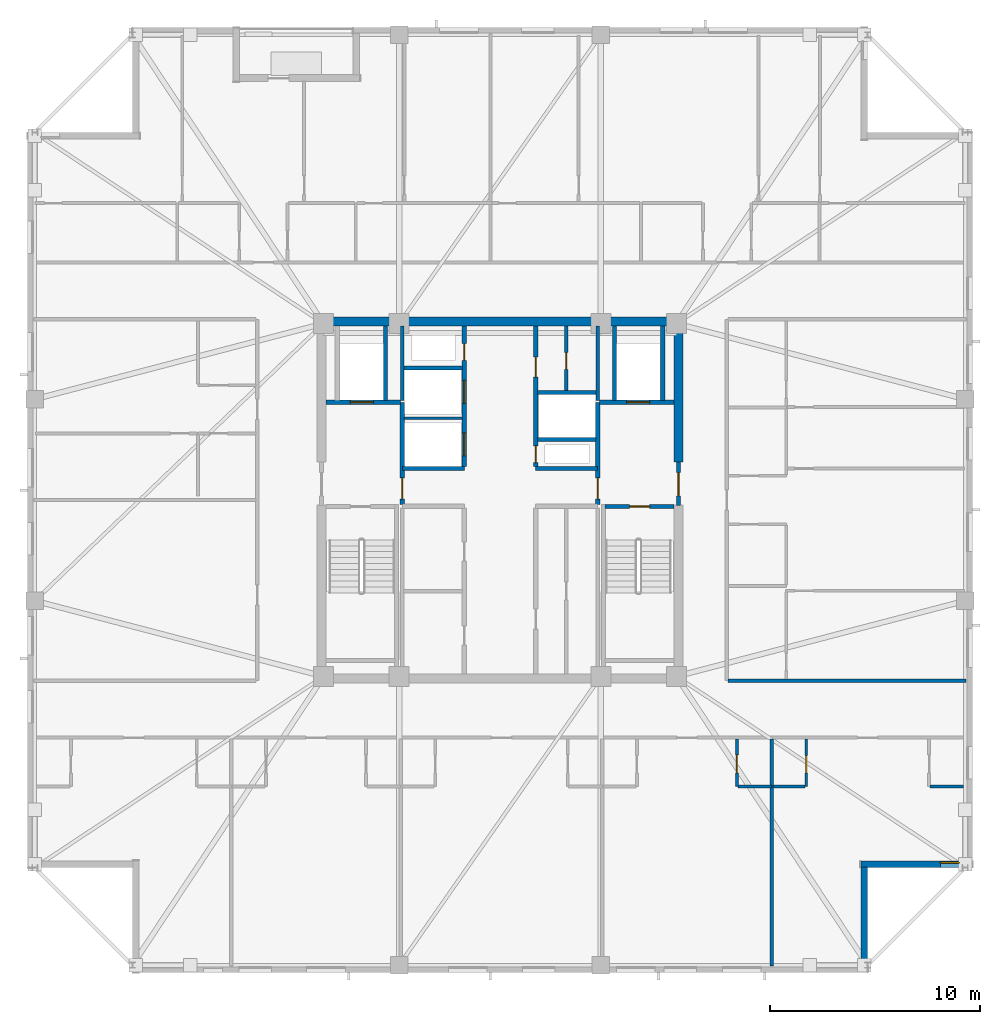
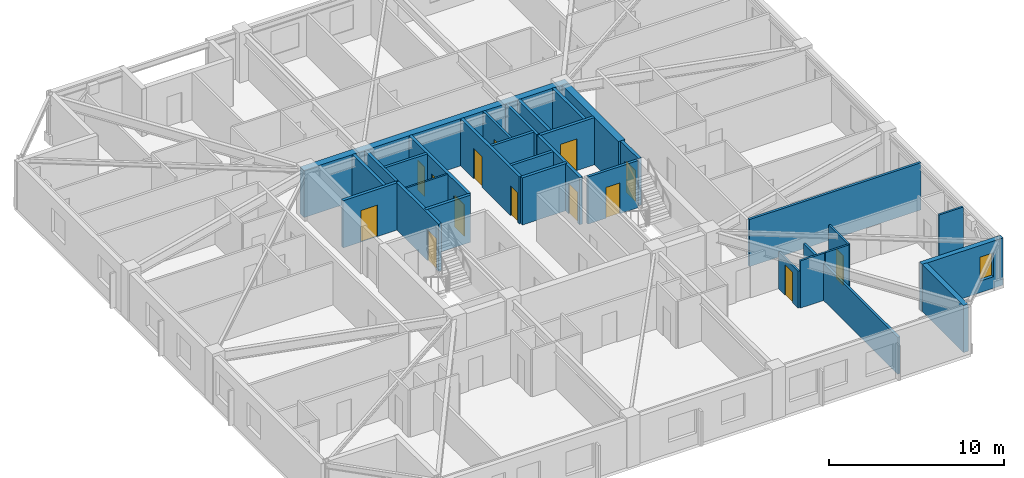
# One storey, part 9 of 17: 31 walls, 14 doors, 1 window, 15 openings.
"""IFC4 building model written with IfcOpenShell, lengths in metres."""

from ifc_helpers import new_model, si_unit, direction, frame, frame_2d, origin, place, context, subcontext, project, spatial, rectangle, extrude, material, layer, layer_set, type_object, element, fill, save


model = new_model("IFC4")

# Units and contexts
model_context = context("Model", 3, precision=1e-05, world=origin(), true_north=direction((0.0, 1.0)))
body_context = subcontext(model_context, "Body", "Model", "MODEL_VIEW")
ifc_project = project(units=[si_unit("LENGTHUNIT", "METRE"), si_unit("AREAUNIT", "SQUARE_METRE"), si_unit("VOLUMEUNIT", "CUBIC_METRE"), si_unit("PLANEANGLEUNIT", "RADIAN"), si_unit("MASSUNIT", "GRAM", prefix="KILO")], contexts=[model_context])

# Site, building, storey
site_placement = place(None, origin())
site = spatial("IfcSite", under=ifc_project, at=site_placement, CompositionType="ELEMENT")
building_placement = place(site_placement, origin())
building = spatial("IfcBuilding", under=site, at=building_placement, Name="Cairnveth Concourse Tower", CompositionType="ELEMENT")
storey_placement = place(building_placement, frame((0.0, 0.0, 216.5)))
storey = spatial("IfcBuildingStorey", under=building, at=storey_placement, Name="L59", CompositionType="ELEMENT", Elevation=216.5)

# Wall, opening, door
ifc_material_1 = material(Name="Gypsum Plasterboard Partition", Category="gypsum")
ifc_layer_1 = layer(ifc_material_1, 0.159912109375)
ifc_layer_set_1 = layer_set([ifc_layer_1], Name="Gypsum Plasterboard Partition")
wall_type_1 = type_object("IfcWallType", Name="ACOUSTIC PARTY WALL 180", PredefinedType="PARTITIONING", material=ifc_layer_set_1)
wall_1_placement = place(storey_placement, frame((55.14990234375, 44.195068359375, 0.0), z_axis=(0.0, 0.0, 1.0), x_axis=(0.0, 1.0, 0.0)))
wall_1 = element("IfcWall", 1, at=wall_1_placement, inside=storey, type_object=wall_type_1, Name="Interior Wall IW-L59-035", PredefinedType="PARTITIONING", context=body_context, shape_type="SweptSolid", body=[
    extrude(rectangle(XDim=3.094970703125, YDim=0.159912109375, at=frame_2d((1.54736328125, 0.0))), origin(), (0.0, 0.0, 1.0), 3.2900390625),
])
opening_1_placement = place(wall_1_placement, frame((1.02490234375, 0.0, 0.0)))
opening_1 = element("IfcOpeningElement", 2, at=opening_1_placement, cuts=wall_1, Name="Opening ID23", PredefinedType="OPENING", context=body_context, shape_type="SweptSolid", body=[
    extrude(rectangle(XDim=0.800048828125, YDim=2.10009765625, at=frame_2d((0.39990234375, 1.050048828125))), frame((0.0, 0.08984375, 0.0), z_axis=(0.0, -1.0, 0.0), x_axis=(1.0, 0.0, 0.0)), (0.0, 0.0, 1.0), 0.179931640625),
])
ifc_material_2 = material(Name="Steel Grade 350", Category="steel")
door_type_1 = type_object("IfcDoorType", Name="CORE SERVICE DOOR 800X2100", OperationType="NOTDEFINED", PredefinedType="DOOR", material=ifc_material_2)
door_1_placement = place(opening_1_placement, origin())
door_1 = element("IfcDoor", 3, at=door_1_placement, inside=storey, type_object=door_type_1, Name="NE Linen Closet Door L59", OperationType="SINGLE_SWING_RIGHT", OverallHeight=2.10009765625, OverallWidth=0.800048828125, PredefinedType="DOOR", context=body_context, shape_type="SweptSolid", body=[
    extrude(rectangle(XDim=0.800048828125, YDim=2.10009765625, at=frame_2d((0.39990234375, 1.050048828125))), frame((0.0, 0.02490234375, 0.0), z_axis=(0.0, -1.0, 0.0), x_axis=(1.0, 0.0, 0.0)), (0.0, 0.0, 1.0), 0.050048828125),
])
fill(opening_1, door_1)

# Walls
wall_2_placement = place(storey_placement, frame((62.864990234375, 30.39990234375, 0.0), z_axis=(0.0, 0.0, 1.0), x_axis=(1.0, 0.0, 0.0)))
element("IfcWall", 4, at=wall_2_placement, inside=storey, type_object=wall_type_1, Name="Interior Wall IW-L59-042", PredefinedType="PARTITIONING", context=body_context, shape_type="SweptSolid", body=[
    extrude(rectangle(XDim=11.330078125, YDim=0.159912109375, at=frame_2d((5.6650390625, 0.0))), origin(), (0.0, 0.0, 1.0), 3.2900390625),
])
wall_3_placement = place(storey_placement, frame((64.93310546875, 16.804931640625, 0.0), z_axis=(0.0, 0.0, 1.0), x_axis=(0.0, 1.0, 0.0)))
element("IfcWall", 5, at=wall_3_placement, inside=storey, type_object=wall_type_1, Name="Interior Wall IW-L59-063", PredefinedType="PARTITIONING", context=body_context, shape_type="SweptSolid", body=[
    extrude(rectangle(XDim=10.80517578125, YDim=0.159912109375, at=frame_2d((5.402587890625, 0.0))), origin(), (0.0, 0.0, 1.0), 2.572998046875),
])
ifc_material_3 = material(Name="Concrete N65 (65 MPa)", Category="concrete")
ifc_layer_2 = layer(ifc_material_3, 0.449951171875)
ifc_layer_set_2 = layer_set([ifc_layer_2], Name="Concrete N65 (65 MPa)")
wall_type_2 = type_object("IfcWallType", Name="CORE SHEAR WALL 450", PredefinedType="SHEAR", material=ifc_layer_set_2)
wall_4_placement = place(storey_placement, frame((43.27490234375, 47.5, 0.0), z_axis=(0.0, 0.0, 1.0), x_axis=(1.0, 0.0, 0.0)))
element("IfcWall", 6, at=wall_4_placement, inside=storey, type_object=wall_type_2, Name="Core North Shear Wall L59", PredefinedType="SHEAR", context=body_context, shape_type="SweptSolid", body=[
    extrude(rectangle(XDim=17.4501953125, YDim=0.449951171875, at=frame_2d((8.72509765625, 0.0))), origin(), (0.0, 0.0, 1.0), 3.2900390625),
])
wall_5_placement = place(storey_placement, frame((60.5, 40.800048828125, 0.0), z_axis=(0.0, 0.0, 1.0), x_axis=(0.0, 1.0, 0.0)))
element("IfcWall", 7, at=wall_5_placement, inside=storey, type_object=wall_type_2, Name="Core East Shear Wall N L59", PredefinedType="SHEAR", context=body_context, shape_type="SweptSolid", body=[
    extrude(rectangle(XDim=6.48486328125, YDim=0.449951171875, at=frame_2d((3.242431640625, 0.0))), origin(), (0.0, 0.0, 1.0), 3.2900390625),
])
ifc_material_4 = material(Name="Concrete N50 (50 MPa)", Category="concrete")
ifc_layer_3 = layer(ifc_material_4, 0.179931640625)
ifc_layer_set_3 = layer_set([ifc_layer_3], Name="Concrete N50 (50 MPa)")
wall_type_3 = type_object("IfcWallType", Name="FIRE SHAFT WALL 180", PredefinedType="SOLIDWALL", material=ifc_layer_set_3)
wall_6_placement = place(storey_placement, frame((47.35009765625, 43.735107421875, 0.0), z_axis=(0.0, 0.0, 1.0), x_axis=(0.0, 1.0, 0.0)))
element("IfcWall", 8, at=wall_6_placement, inside=storey, type_object=wall_type_3, Name="Interior Wall IW-L59-029", PredefinedType="SOLIDWALL", context=body_context, shape_type="SweptSolid", body=[
    extrude(rectangle(XDim=3.554931640625, YDim=0.179931640625, at=frame_2d((1.77734375, 0.0))), origin(), (0.0, 0.0, 1.0), 3.2900390625),
])
wall_7_placement = place(storey_placement, frame((47.425048828125, 45.280029296875, 0.0), z_axis=(0.0, 0.0, 1.0), x_axis=(1.0, 0.0, 0.0)))
element("IfcWall", 9, at=wall_7_placement, inside=storey, type_object=wall_type_3, Name="Interior Wall IW-L59-031", PredefinedType="SOLIDWALL", context=body_context, shape_type="SweptSolid", body=[
    extrude(rectangle(XDim=2.7900390625, YDim=0.179931640625, at=frame_2d((1.39501953125, 0.0))), origin(), (0.0, 0.0, 1.0), 3.2900390625),
])
wall_8_placement = place(storey_placement, frame((56.64990234375, 43.735107421875, 0.0), z_axis=(0.0, 0.0, 1.0), x_axis=(0.0, 1.0, 0.0)))
element("IfcWall", 10, at=wall_8_placement, inside=storey, type_object=wall_type_3, Name="Interior Wall IW-L59-032", PredefinedType="SOLIDWALL", context=body_context, shape_type="SweptSolid", body=[
    extrude(rectangle(XDim=3.554931640625, YDim=0.179931640625, at=frame_2d((1.77734375, 0.0))), origin(), (0.0, 0.0, 1.0), 3.2900390625),
])
wall_9_placement = place(storey_placement, frame((53.784912109375, 41.8798828125, 0.0), z_axis=(0.0, 0.0, 1.0), x_axis=(1.0, 0.0, 0.0)))
element("IfcWall", 11, at=wall_9_placement, inside=storey, type_object=wall_type_3, Name="Interior Wall IW-L59-033", PredefinedType="SOLIDWALL", context=body_context, shape_type="SweptSolid", body=[
    extrude(rectangle(XDim=2.780029296875, YDim=0.179931640625, at=frame_2d((1.39013671875, 0.0))), origin(), (0.0, 0.0, 1.0), 3.2900390625),
])
wall_10_placement = place(storey_placement, frame((53.784912109375, 44.1201171875, 0.0), z_axis=(0.0, 0.0, 1.0), x_axis=(1.0, 0.0, 0.0)))
element("IfcWall", 12, at=wall_10_placement, inside=storey, type_object=wall_type_3, Name="Interior Wall IW-L59-034", PredefinedType="SOLIDWALL", context=body_context, shape_type="SweptSolid", body=[
    extrude(rectangle(XDim=2.7900390625, YDim=0.179931640625, at=frame_2d((1.39501953125, 0.0))), origin(), (0.0, 0.0, 1.0), 3.2900390625),
])

# Wall, opening, door
wall_11_placement = place(storey_placement, frame((57.0048828125, 38.68994140625, 0.0), z_axis=(0.0, 0.0, 1.0), x_axis=(1.0, 0.0, 0.0)))
wall_11 = element("IfcWall", 13, at=wall_11_placement, inside=storey, type_object=wall_type_3, Name="Stair ST-2 Shaft Wall NEAR L59", PredefinedType="SOLIDWALL", context=body_context, shape_type="SweptSolid", body=[
    extrude(rectangle(XDim=3.280029296875, YDim=0.179931640625, at=frame_2d((1.64013671875, 0.0))), origin(), (0.0, 0.0, 1.0), 3.2900390625),
])
opening_2_placement = place(wall_11_placement, frame((1.1650390625, 0.0, 0.0)))
opening_2 = element("IfcOpeningElement", 14, at=opening_2_placement, cuts=wall_11, Name="Opening ID12", PredefinedType="OPENING", context=body_context, shape_type="SweptSolid", body=[
    extrude(rectangle(XDim=0.949951171875, YDim=2.14990234375, at=frame_2d((0.47509765625, 1.074951171875))), frame((0.0, 0.099853515625, 0.0), z_axis=(0.0, -1.0, 0.0), x_axis=(1.0, 0.0, 0.0)), (0.0, 0.0, 1.0), 0.199951171875),
])
door_type_2 = type_object("IfcDoorType", Name="FIRE STAIR DOOR 950X2150", OperationType="NOTDEFINED", PredefinedType="DOOR", material=ifc_material_2)
door_2_placement = place(opening_2_placement, origin())
door_2 = element("IfcDoor", 15, at=door_2_placement, inside=storey, type_object=door_type_2, Name="Stair ST-2 Fire Door L59", OperationType="SINGLE_SWING_RIGHT", OverallHeight=2.14990234375, OverallWidth=0.949951171875, PredefinedType="DOOR", context=body_context, shape_type="SweptSolid", body=[
    extrude(rectangle(XDim=0.949951171875, YDim=2.14990234375, at=frame_2d((0.47509765625, 1.074951171875))), frame((0.0, 0.02490234375, 0.0), z_axis=(0.0, -1.0, 0.0), x_axis=(1.0, 0.0, 0.0)), (0.0, 0.0, 1.0), 0.050048828125),
])
fill(opening_2, door_2)

# Walls
ifc_layer_4 = layer(ifc_material_4, 0.199951171875)
ifc_layer_set_4 = layer_set([ifc_layer_4], Name="Concrete N50 (50 MPa)")
wall_type_4 = type_object("IfcWallType", Name="FIRE SHAFT WALL 200", PredefinedType="SOLIDWALL", material=ifc_layer_set_4)
for number, where, z_axis, x_axis, name in (
    (16, (47.35009765625, 40.5, 0.0), (0.0, 0.0, 1.0), (1.0, 0.0, 0.0), "Interior Wall IW-L59-008"),
    (17, (53.699951171875, 40.5, 0.0), (0.0, 0.0, 1.0), (1.0, 0.0, 0.0), "Interior Wall IW-L59-010"),
):
    element("IfcWall", number, at=place(storey_placement, frame(where, z_axis=z_axis, x_axis=x_axis)), inside=storey, type_object=wall_type_4, Name=name, PredefinedType="SOLIDWALL", context=body_context, shape_type="SweptSolid", body=[
        extrude(rectangle(XDim=2.949951171875, YDim=0.199951171875, at=frame_2d((1.47509765625, 0.0))), origin(), (0.0, 0.0, 1.0), 3.2900390625),
    ])

# Wall, openings, doors
wall_12_placement = place(storey_placement, frame((50.300048828125, 40.5849609375, 0.0), z_axis=(0.0, 0.0, 1.0), x_axis=(0.0, 1.0, 0.0)))
wall_12 = element("IfcWall", 18, at=wall_12_placement, inside=storey, type_object=wall_type_4, Name="Interior Wall IW-L59-013", PredefinedType="SOLIDWALL", context=body_context, shape_type="SweptSolid", body=[
    extrude(rectangle(XDim=6.705078125, YDim=0.199951171875, at=frame_2d((3.3525390625, 0.0))), origin(), (0.0, 0.0, 1.0), 3.2900390625),
])
opening_3_placement = place(wall_12_placement, frame((0.514892578125, 0.0, 0.0)))
opening_3 = element("IfcOpeningElement", 19, at=opening_3_placement, cuts=wall_12, Name="Opening LD-1", PredefinedType="OPENING", context=body_context, shape_type="SweptSolid", body=[
    extrude(rectangle(XDim=1.10009765625, YDim=2.199951171875, at=frame_2d((0.550048828125, 1.10009765625))), frame((0.0, 0.10986328125, 0.0), z_axis=(0.0, -1.0, 0.0), x_axis=(1.0, 0.0, 0.0)), (0.0, 0.0, 1.0), 0.219970703125),
])
opening_4_placement = place(wall_12_placement, frame((3.014892578125, 0.0, 0.0)))
opening_4 = element("IfcOpeningElement", 20, at=opening_4_placement, cuts=wall_12, Name="Opening LD-1", PredefinedType="OPENING", context=body_context, shape_type="SweptSolid", body=[
    extrude(rectangle(XDim=1.10009765625, YDim=2.199951171875, at=frame_2d((0.550048828125, 1.10009765625))), frame((0.0, 0.10986328125, 0.0), z_axis=(0.0, -1.0, 0.0), x_axis=(1.0, 0.0, 0.0)), (0.0, 0.0, 1.0), 0.219970703125),
])
opening_5_placement = place(wall_12_placement, frame((5.06494140625, 0.0, 0.0)))
opening_5 = element("IfcOpeningElement", 21, at=opening_5_placement, cuts=wall_12, Name="Opening ID24", PredefinedType="OPENING", context=body_context, shape_type="SweptSolid", body=[
    extrude(rectangle(XDim=0.800048828125, YDim=2.080078125, at=frame_2d((0.39990234375, 1.0400390625))), frame((0.0, 0.10986328125, 0.0), z_axis=(0.0, -1.0, 0.0), x_axis=(1.0, 0.0, 0.0)), (0.0, 0.0, 1.0), 0.219970703125),
])
ifc_material_5 = material(Name="Architectural Bronze Anodised Aluminium 6063-T6", Category="aluminium")
door_type_3 = type_object("IfcDoorType", Name="LIFT LANDING DOOR 1100X2200", OperationType="SLIDING_TO_LEFT", PredefinedType="DOOR", material=ifc_material_5)
door_3_placement = place(opening_3_placement, origin())
door_3 = element("IfcDoor", 22, at=door_3_placement, inside=storey, type_object=door_type_3, Name="Lift PL7 Landing Door L59", OperationType="SLIDING_TO_LEFT", OverallHeight=2.199951171875, OverallWidth=1.10009765625, PredefinedType="DOOR", context=body_context, shape_type="SweptSolid", body=[
    extrude(rectangle(XDim=1.10009765625, YDim=2.199951171875, at=frame_2d((0.550048828125, 1.10009765625))), frame((0.0, 0.02490234375, 0.0), z_axis=(0.0, -1.0, 0.0), x_axis=(1.0, 0.0, 0.0)), (0.0, 0.0, 1.0), 0.050048828125),
])
fill(opening_3, door_3)
door_4_placement = place(opening_4_placement, origin())
door_4 = element("IfcDoor", 23, at=door_4_placement, inside=storey, type_object=door_type_3, Name="Lift PL8 Landing Door L59", OperationType="SLIDING_TO_LEFT", OverallHeight=2.199951171875, OverallWidth=1.10009765625, PredefinedType="DOOR", context=body_context, shape_type="SweptSolid", body=[
    extrude(rectangle(XDim=1.10009765625, YDim=2.199951171875, at=frame_2d((0.550048828125, 1.10009765625))), frame((0.0, 0.02490234375, 0.0), z_axis=(0.0, -1.0, 0.0), x_axis=(1.0, 0.0, 0.0)), (0.0, 0.0, 1.0), 0.050048828125),
])
fill(opening_4, door_4)
door_type_4 = type_object("IfcDoorType", Name="RISER ACCESS DOOR 800X2100", OperationType="NOTDEFINED", PredefinedType="DOOR", material=ifc_material_2)
door_5_placement = place(opening_5_placement, origin())
door_5 = element("IfcDoor", 24, at=door_5_placement, inside=storey, type_object=door_type_4, Name="NW Electrical Riser Access Door L59", OperationType="SINGLE_SWING_LEFT", OverallHeight=2.080078125, OverallWidth=0.800048828125, PredefinedType="DOOR", context=body_context, shape_type="SweptSolid", body=[
    extrude(rectangle(XDim=0.800048828125, YDim=2.080078125, at=frame_2d((0.39990234375, 1.0400390625))), frame((0.0, 0.02490234375, 0.0), z_axis=(0.0, -1.0, 0.0), x_axis=(1.0, 0.0, 0.0)), (0.0, 0.0, 1.0), 0.050048828125),
])
fill(opening_5, door_5)

wall_13_placement = place(storey_placement, frame((53.699951171875, 40.5849609375, 0.0), z_axis=(0.0, 0.0, 1.0), x_axis=(0.0, 1.0, 0.0)))
wall_13 = element("IfcWall", 25, at=wall_13_placement, inside=storey, type_object=wall_type_4, Name="Interior Wall IW-L59-014", PredefinedType="SOLIDWALL", context=body_context, shape_type="SweptSolid", body=[
    extrude(rectangle(XDim=6.705078125, YDim=0.199951171875, at=frame_2d((3.3525390625, 0.0))), origin(), (0.0, 0.0, 1.0), 3.2900390625),
])
opening_6_placement = place(wall_13_placement, frame((0.195068359375, 0.0, 0.0)))
opening_6 = element("IfcOpeningElement", 26, at=opening_6_placement, cuts=wall_13, Name="Opening ID24", PredefinedType="OPENING", context=body_context, shape_type="SweptSolid", body=[
    extrude(rectangle(XDim=0.800048828125, YDim=2.080078125, at=frame_2d((0.39990234375, 1.0400390625))), frame((0.0, 0.10986328125, 0.0), z_axis=(0.0, -1.0, 0.0), x_axis=(1.0, 0.0, 0.0)), (0.0, 0.0, 1.0), 0.219970703125),
])
opening_7_placement = place(wall_13_placement, frame((4.264892578125, 0.0, 0.0)))
opening_7 = element("IfcOpeningElement", 27, at=opening_7_placement, cuts=wall_13, Name="Opening ID25", PredefinedType="OPENING", context=body_context, shape_type="SweptSolid", body=[
    extrude(rectangle(XDim=0.949951171875, YDim=2.1201171875, at=frame_2d((0.47509765625, 1.06005859375))), frame((0.0, 0.10986328125, 0.0), z_axis=(0.0, -1.0, 0.0), x_axis=(1.0, 0.0, 0.0)), (0.0, 0.0, 1.0), 0.219970703125),
])
door_type_5 = type_object("IfcDoorType", Name="CORE ACCESSIBLE FIRE DOOR 950X2120", OperationType="NOTDEFINED", PredefinedType="DOOR", material=ifc_material_2)
door_6_placement = place(opening_7_placement, origin())
door_6 = element("IfcDoor", 28, at=door_6_placement, inside=storey, type_object=door_type_5, Name="Core NE Restroom Door L59", OperationType="SINGLE_SWING_LEFT", OverallHeight=2.1201171875, OverallWidth=0.949951171875, PredefinedType="DOOR", context=body_context, shape_type="SweptSolid", body=[
    extrude(rectangle(XDim=0.949951171875, YDim=2.1201171875, at=frame_2d((0.47509765625, 1.06005859375))), frame((0.0, 0.02490234375, 0.0), z_axis=(0.0, -1.0, 0.0), x_axis=(1.0, 0.0, 0.0)), (0.0, 0.0, 1.0), 0.050048828125),
])
fill(opening_7, door_6)
door_7_placement = place(opening_6_placement, origin())
door_7 = element("IfcDoor", 29, at=door_7_placement, inside=storey, type_object=door_type_4, Name="Hydraulic Riser Door L59", OperationType="SINGLE_SWING_RIGHT", OverallHeight=2.080078125, OverallWidth=0.800048828125, PredefinedType="DOOR", context=body_context, shape_type="SweptSolid", body=[
    extrude(rectangle(XDim=0.800048828125, YDim=2.080078125, at=frame_2d((0.39990234375, 1.0400390625))), frame((0.0, 0.02490234375, 0.0), z_axis=(0.0, -1.0, 0.0), x_axis=(1.0, 0.0, 0.0)), (0.0, 0.0, 1.0), 0.050048828125),
])
fill(opening_6, door_7)

# Wall, opening, door
wall_14_placement = place(storey_placement, frame((47.35009765625, 38.784912109375, 0.0), z_axis=(0.0, 0.0, 1.0), x_axis=(0.0, 1.0, 0.0)))
wall_14 = element("IfcWall", 30, at=wall_14_placement, inside=storey, type_object=wall_type_4, Name="Interior Wall IW-L59-016", PredefinedType="SOLIDWALL", context=body_context, shape_type="SweptSolid", body=[
    extrude(rectangle(XDim=4.864990234375, YDim=0.199951171875, at=frame_2d((2.4326171875, 0.0))), origin(), (0.0, 0.0, 1.0), 3.2900390625),
])
opening_8_placement = place(wall_14_placement, frame((0.264892578125, 0.0, 0.0)))
opening_8 = element("IfcOpeningElement", 31, at=opening_8_placement, cuts=wall_14, Name="Opening ID07", PredefinedType="OPENING", context=body_context, shape_type="SweptSolid", body=[
    extrude(rectangle(XDim=1.0, YDim=2.14990234375, at=frame_2d((0.5, 1.074951171875))), frame((0.0, 0.10986328125, 0.0), z_axis=(0.0, -1.0, 0.0), x_axis=(1.0, 0.0, 0.0)), (0.0, 0.0, 1.0), 0.219970703125),
])
door_type_6 = type_object("IfcDoorType", Name="FIRE CORRIDOR DOOR 1000X2150", OperationType="NOTDEFINED", PredefinedType="DOOR", material=ifc_material_2)
door_8_placement = place(opening_8_placement, origin())
door_8 = element("IfcDoor", 32, at=door_8_placement, inside=storey, type_object=door_type_6, Name="FF Lobby West to Lift Lobby Door L59", OperationType="SINGLE_SWING_RIGHT", OverallHeight=2.14990234375, OverallWidth=1.0, PredefinedType="DOOR", context=body_context, shape_type="SweptSolid", body=[
    extrude(rectangle(XDim=1.0, YDim=2.14990234375, at=frame_2d((0.5, 1.074951171875))), frame((0.0, 0.02490234375, 0.0), z_axis=(0.0, -1.0, 0.0), x_axis=(1.0, 0.0, 0.0)), (0.0, 0.0, 1.0), 0.050048828125),
])
fill(opening_8, door_8)

wall_15_placement = place(storey_placement, frame((43.7099609375, 43.64990234375, 0.0), z_axis=(0.0, 0.0, 1.0), x_axis=(1.0, 0.0, 0.0)))
wall_15 = element("IfcWall", 33, at=wall_15_placement, inside=storey, type_object=wall_type_4, Name="Interior Wall IW-L59-017", PredefinedType="SOLIDWALL", context=body_context, shape_type="SweptSolid", body=[
    extrude(rectangle(XDim=3.554931640625, YDim=0.199951171875, at=frame_2d((1.77734375, 0.0))), origin(), (0.0, 0.0, 1.0), 3.2900390625),
])
opening_9_placement = place(wall_15_placement, frame((1.159912109375, 0.0, 0.0)))
opening_9 = element("IfcOpeningElement", 34, at=opening_9_placement, cuts=wall_15, Name="Opening LD-1", PredefinedType="OPENING", context=body_context, shape_type="SweptSolid", body=[
    extrude(rectangle(XDim=1.10009765625, YDim=2.199951171875, at=frame_2d((0.550048828125, 1.10009765625))), frame((0.0, 0.10986328125, 0.0), z_axis=(0.0, -1.0, 0.0), x_axis=(1.0, 0.0, 0.0)), (0.0, 0.0, 1.0), 0.219970703125),
])
door_9_placement = place(opening_9_placement, origin())
door_9 = element("IfcDoor", 35, at=door_9_placement, inside=storey, type_object=door_type_3, Name="Lift FFL1 Landing Door L59", OperationType="SLIDING_TO_LEFT", OverallHeight=2.199951171875, OverallWidth=1.10009765625, PredefinedType="DOOR", context=body_context, shape_type="SweptSolid", body=[
    extrude(rectangle(XDim=1.10009765625, YDim=2.199951171875, at=frame_2d((0.550048828125, 1.10009765625))), frame((0.0, 0.02490234375, 0.0), z_axis=(0.0, -1.0, 0.0), x_axis=(1.0, 0.0, 0.0)), (0.0, 0.0, 1.0), 0.050048828125),
])
fill(opening_9, door_9)

# Wall
wall_16_placement = place(storey_placement, frame((46.550048828125, 43.735107421875, 0.0), z_axis=(0.0, 0.0, 1.0), x_axis=(0.0, 1.0, 0.0)))
element("IfcWall", 36, at=wall_16_placement, inside=storey, type_object=wall_type_4, Name="Interior Wall IW-L59-018", PredefinedType="SOLIDWALL", context=body_context, shape_type="SweptSolid", body=[
    extrude(rectangle(XDim=3.554931640625, YDim=0.199951171875, at=frame_2d((1.77734375, 0.0))), origin(), (0.0, 0.0, 1.0), 3.2900390625),
])

# Wall, opening, door
wall_17_placement = place(storey_placement, frame((60.5, 38.75, 0.0), z_axis=(0.0, 0.0, 1.0), x_axis=(0.0, 1.0, 0.0)))
wall_17 = element("IfcWall", 37, at=wall_17_placement, inside=storey, type_object=wall_type_4, Name="Interior Wall IW-L59-020", PredefinedType="SOLIDWALL", context=body_context, shape_type="SweptSolid", body=[
    extrude(rectangle(XDim=2.050048828125, YDim=0.199951171875, at=frame_2d((1.02490234375, 0.0))), origin(), (0.0, 0.0, 1.0), 3.2900390625),
])
opening_10_placement = place(wall_17_placement, frame((0.449951171875, 0.0, 0.0)))
opening_10 = element("IfcOpeningElement", 38, at=opening_10_placement, cuts=wall_17, Name="Opening ID06", PredefinedType="OPENING", context=body_context, shape_type="SweptSolid", body=[
    extrude(rectangle(XDim=1.10009765625, YDim=2.14990234375, at=frame_2d((0.550048828125, 1.074951171875))), frame((0.0, 0.10986328125, 0.0), z_axis=(0.0, -1.0, 0.0), x_axis=(1.0, 0.0, 0.0)), (0.0, 0.0, 1.0), 0.219970703125),
])
door_type_7 = type_object("IfcDoorType", Name="FIRE CORRIDOR DOOR 1100X2150", OperationType="NOTDEFINED", PredefinedType="DOOR", material=ifc_material_2)
door_10_placement = place(opening_10_placement, origin())
door_10 = element("IfcDoor", 39, at=door_10_placement, inside=storey, type_object=door_type_7, Name="East Wing to FF Lobby Door L59", OperationType="SINGLE_SWING_RIGHT", OverallHeight=2.14990234375, OverallWidth=1.10009765625, PredefinedType="DOOR", context=body_context, shape_type="SweptSolid", body=[
    extrude(rectangle(XDim=1.10009765625, YDim=2.14990234375, at=frame_2d((0.550048828125, 1.074951171875))), frame((0.0, 0.02490234375, 0.0), z_axis=(0.0, -1.0, 0.0), x_axis=(1.0, 0.0, 0.0)), (0.0, 0.0, 1.0), 0.050048828125),
])
fill(opening_10, door_10)

wall_18_placement = place(storey_placement, frame((56.64990234375, 38.784912109375, 0.0), z_axis=(0.0, 0.0, 1.0), x_axis=(0.0, 1.0, 0.0)))
wall_18 = element("IfcWall", 40, at=wall_18_placement, inside=storey, type_object=wall_type_4, Name="Interior Wall IW-L59-021", PredefinedType="SOLIDWALL", context=body_context, shape_type="SweptSolid", body=[
    extrude(rectangle(XDim=4.864990234375, YDim=0.199951171875, at=frame_2d((2.4326171875, 0.0))), origin(), (0.0, 0.0, 1.0), 3.2900390625),
])
opening_11_placement = place(wall_18_placement, frame((0.264892578125, 0.0, 0.0)))
opening_11 = element("IfcOpeningElement", 41, at=opening_11_placement, cuts=wall_18, Name="Opening ID07", PredefinedType="OPENING", context=body_context, shape_type="SweptSolid", body=[
    extrude(rectangle(XDim=1.0, YDim=2.14990234375, at=frame_2d((0.5, 1.074951171875))), frame((0.0, 0.10986328125, 0.0), z_axis=(0.0, -1.0, 0.0), x_axis=(1.0, 0.0, 0.0)), (0.0, 0.0, 1.0), 0.219970703125),
])
door_11_placement = place(opening_11_placement, origin())
door_11 = element("IfcDoor", 42, at=door_11_placement, inside=storey, type_object=door_type_6, Name="FF Lobby East to Lift Lobby Door L59", OperationType="SINGLE_SWING_LEFT", OverallHeight=2.14990234375, OverallWidth=1.0, PredefinedType="DOOR", context=body_context, shape_type="SweptSolid", body=[
    extrude(rectangle(XDim=1.0, YDim=2.14990234375, at=frame_2d((0.5, 1.074951171875))), frame((0.0, 0.02490234375, 0.0), z_axis=(0.0, -1.0, 0.0), x_axis=(1.0, 0.0, 0.0)), (0.0, 0.0, 1.0), 0.050048828125),
])
fill(opening_11, door_11)

wall_19_placement = place(storey_placement, frame((56.735107421875, 43.64990234375, 0.0), z_axis=(0.0, 0.0, 1.0), x_axis=(1.0, 0.0, 0.0)))
wall_19 = element("IfcWall", 43, at=wall_19_placement, inside=storey, type_object=wall_type_4, Name="Interior Wall IW-L59-022", PredefinedType="SOLIDWALL", context=body_context, shape_type="SweptSolid", body=[
    extrude(rectangle(XDim=3.554931640625, YDim=0.199951171875, at=frame_2d((1.77734375, 0.0))), origin(), (0.0, 0.0, 1.0), 3.2900390625),
])
opening_12_placement = place(wall_19_placement, frame((1.294921875, 0.0, 0.0)))
opening_12 = element("IfcOpeningElement", 44, at=opening_12_placement, cuts=wall_19, Name="Opening LD-1", PredefinedType="OPENING", context=body_context, shape_type="SweptSolid", body=[
    extrude(rectangle(XDim=1.10009765625, YDim=2.199951171875, at=frame_2d((0.550048828125, 1.10009765625))), frame((0.0, 0.10986328125, 0.0), z_axis=(0.0, -1.0, 0.0), x_axis=(1.0, 0.0, 0.0)), (0.0, 0.0, 1.0), 0.219970703125),
])
door_12_placement = place(opening_12_placement, origin())
door_12 = element("IfcDoor", 45, at=door_12_placement, inside=storey, type_object=door_type_3, Name="Lift FFL2 Landing Door L59", OperationType="SLIDING_TO_LEFT", OverallHeight=2.199951171875, OverallWidth=1.10009765625, PredefinedType="DOOR", context=body_context, shape_type="SweptSolid", body=[
    extrude(rectangle(XDim=1.10009765625, YDim=2.199951171875, at=frame_2d((0.550048828125, 1.10009765625))), frame((0.0, 0.02490234375, 0.0), z_axis=(0.0, -1.0, 0.0), x_axis=(1.0, 0.0, 0.0)), (0.0, 0.0, 1.0), 0.050048828125),
])
fill(opening_12, door_12)

# Walls
for number, where, z_axis, x_axis, name in (
    (46, (57.449951171875, 43.735107421875, 0.0), (0.0, 0.0, 1.0), (0.0, 1.0, 0.0), "Interior Wall IW-L59-023"),
    (47, (59.75, 43.735107421875, 0.0), (0.0, 0.0, 1.0), (0.0, 1.0, 0.0), "Interior Wall IW-L59-024"),
):
    element("IfcWall", number, at=place(storey_placement, frame(where, z_axis=z_axis, x_axis=x_axis)), inside=storey, type_object=wall_type_4, Name=name, PredefinedType="SOLIDWALL", context=body_context, shape_type="SweptSolid", body=[
        extrude(rectangle(XDim=3.554931640625, YDim=0.199951171875, at=frame_2d((1.77734375, 0.0))), origin(), (0.0, 0.0, 1.0), 3.2900390625),
    ])
ifc_layer_5 = layer(ifc_material_1, 0.110107421875)
ifc_layer_set_5 = layer_set([ifc_layer_5], Name="Gypsum Plasterboard Partition")
wall_type_5 = type_object("IfcWallType", Name="SHAFT DIVIDER WALL 140", PredefinedType="PARTITIONING", material=ifc_layer_set_5)
wall_20_placement = place(storey_placement, frame((47.43505859375, 42.89990234375, 0.0), z_axis=(0.0, 0.0, 1.0), x_axis=(1.0, 0.0, 0.0)))
element("IfcWall", 48, at=wall_20_placement, inside=storey, type_object=wall_type_5, Name="Interior Wall IW-L59-030", PredefinedType="PARTITIONING", context=body_context, shape_type="SweptSolid", body=[
    extrude(rectangle(XDim=2.780029296875, YDim=0.110107421875, at=frame_2d((1.39013671875, 0.0))), origin(), (0.0, 0.0, 1.0), 3.2900390625),
])

# Wall, opening, door
ifc_layer_6 = layer(ifc_material_1, 0.1298828125)
ifc_layer_set_6 = layer_set([ifc_layer_6], Name="Gypsum Plasterboard Partition")
wall_type_6 = type_object("IfcWallType", Name="WET AREA PARTITION 140", PredefinedType="PLUMBINGWALL", material=ifc_layer_set_6)
wall_21_placement = place(storey_placement, frame((63.282958984375, 25.360107421875, 0.0), z_axis=(0.0, 0.0, 1.0), x_axis=(0.0, 1.0, 0.0)))
wall_21 = element("IfcWall", 49, at=wall_21_placement, inside=storey, type_object=wall_type_6, Name="Interior Wall IW-L59-061", PredefinedType="PLUMBINGWALL", context=body_context, shape_type="SweptSolid", body=[
    extrude(rectangle(XDim=2.25, YDim=0.1298828125, at=frame_2d((1.125, 0.0))), origin(), (0.0, 0.0, 1.0), 2.572998046875),
])
opening_13_placement = place(wall_21_placement, frame((0.64990234375, 0.0, 0.0)))
opening_13 = element("IfcOpeningElement", 50, at=opening_13_placement, cuts=wall_21, Name="Opening ID20", PredefinedType="OPENING", context=body_context, shape_type="SweptSolid", body=[
    extrude(rectangle(XDim=0.85009765625, YDim=2.10009765625, at=frame_2d((0.425048828125, 1.050048828125))), frame((0.0, 0.074951171875, 0.0), z_axis=(0.0, -1.0, 0.0), x_axis=(1.0, 0.0, 0.0)), (0.0, 0.0, 1.0), 0.14990234375),
])
ifc_material_6 = material(Name="Solid Core Hardwood Timber Leaf", Category="wood")
door_type_8 = type_object("IfcDoorType", Name="INTERIOR SINGLE DOOR 850X2100", OperationType="NOTDEFINED", PredefinedType="DOOR", material=ifc_material_6)
door_13_placement = place(opening_13_placement, origin())
door_13 = element("IfcDoor", 51, at=door_13_placement, inside=storey, type_object=door_type_8, Name="L59STS4 Kitchen Door", OperationType="SINGLE_SWING_LEFT", OverallHeight=2.10009765625, OverallWidth=0.85009765625, PredefinedType="DOOR", context=body_context, shape_type="SweptSolid", body=[
    extrude(rectangle(XDim=0.85009765625, YDim=2.10009765625, at=frame_2d((0.425048828125, 1.050048828125))), frame((0.0, 0.02490234375, 0.0), z_axis=(0.0, -1.0, 0.0), x_axis=(1.0, 0.0, 0.0)), (0.0, 0.0, 1.0), 0.050048828125),
])
fill(opening_13, door_13)

# Wall
wall_22_placement = place(storey_placement, frame((63.3330078125, 25.360107421875, 0.0), z_axis=(0.0, 0.0, 1.0), x_axis=(1.0, 0.0, 0.0)))
element("IfcWall", 52, at=wall_22_placement, inside=storey, type_object=wall_type_6, Name="Interior Wall IW-L59-062", PredefinedType="PLUMBINGWALL", context=body_context, shape_type="SweptSolid", body=[
    extrude(rectangle(XDim=1.60009765625, YDim=0.1298828125, at=frame_2d((0.800048828125, 0.0))), origin(), (0.0, 0.0, 1.0), 3.2900390625),
])

# Wall, opening, door
wall_23_placement = place(storey_placement, frame((66.5830078125, 25.360107421875, 0.0), z_axis=(0.0, 0.0, 1.0), x_axis=(0.0, 1.0, 0.0)))
wall_23 = element("IfcWall", 53, at=wall_23_placement, inside=storey, type_object=wall_type_6, Name="Interior Wall IW-L59-064", PredefinedType="PLUMBINGWALL", context=body_context, shape_type="SweptSolid", body=[
    extrude(rectangle(XDim=2.25, YDim=0.1298828125, at=frame_2d((1.125, 0.0))), origin(), (0.0, 0.0, 1.0), 3.2900390625),
])
opening_14_placement = place(wall_23_placement, frame((0.64990234375, 0.0, 0.0)))
opening_14 = element("IfcOpeningElement", 54, at=opening_14_placement, cuts=wall_23, Name="Opening ID22", PredefinedType="OPENING", context=body_context, shape_type="SweptSolid", body=[
    extrude(rectangle(XDim=0.820068359375, YDim=2.10009765625, at=frame_2d((0.41015625, 1.050048828125))), frame((0.0, 0.074951171875, 0.0), z_axis=(0.0, -1.0, 0.0), x_axis=(1.0, 0.0, 0.0)), (0.0, 0.0, 1.0), 0.14990234375),
])
door_type_9 = type_object("IfcDoorType", Name="INTERIOR WC DOOR 820X2100", OperationType="NOTDEFINED", PredefinedType="DOOR", material=ifc_material_6)
door_14_placement = place(opening_14_placement, origin())
door_14 = element("IfcDoor", 55, at=door_14_placement, inside=storey, type_object=door_type_9, Name="L59STS5 Bathroom Door", OperationType="SINGLE_SWING_LEFT", OverallHeight=2.10009765625, OverallWidth=0.820068359375, PredefinedType="DOOR", context=body_context, shape_type="SweptSolid", body=[
    extrude(rectangle(XDim=0.820068359375, YDim=2.10009765625, at=frame_2d((0.41015625, 1.050048828125))), frame((0.0, 0.02490234375, 0.0), z_axis=(0.0, -1.0, 0.0), x_axis=(1.0, 0.0, 0.0)), (0.0, 0.0, 1.0), 0.050048828125),
])
fill(opening_14, door_14)

# Walls
wall_24_placement = place(storey_placement, frame((64.998046875, 25.360107421875, 0.0), z_axis=(0.0, 0.0, 1.0), x_axis=(1.0, 0.0, 0.0)))
element("IfcWall", 56, at=wall_24_placement, inside=storey, type_object=wall_type_6, Name="Interior Wall IW-L59-065", PredefinedType="PLUMBINGWALL", context=body_context, shape_type="SweptSolid", body=[
    extrude(rectangle(XDim=1.534912109375, YDim=0.1298828125, at=frame_2d((0.767578125, 0.0))), origin(), (0.0, 0.0, 1.0), 3.2900390625),
])
wall_25_placement = place(storey_placement, frame((72.47998046875, 25.360107421875, 0.0), z_axis=(0.0, 0.0, 1.0), x_axis=(1.0, 0.0, 0.0)))
element("IfcWall", 57, at=wall_25_placement, inside=storey, type_object=wall_type_6, Name="Interior Wall IW-L59-067", PredefinedType="PLUMBINGWALL", context=body_context, shape_type="SweptSolid", body=[
    extrude(rectangle(XDim=1.60009765625, YDim=0.1298828125, at=frame_2d((0.800048828125, 0.0))), origin(), (0.0, 0.0, 1.0), 3.2900390625),
])

# Wall, opening, window
ifc_material_7 = material(Name="Melbourne Buff Fired Clay Brick Masonry", Category="masonry")
ifc_layer_7 = layer(ifc_material_7, 0.320068359375)
ifc_layer_set_7 = layer_set([ifc_layer_7], Name="Melbourne Buff Fired Clay Brick Masonry")
wall_type_7 = type_object("IfcWallType", Name="ZONE 3 BRICK PIER SPANDREL WALL 320", PredefinedType="SOLIDWALL", material=ifc_layer_set_7)
wall_26_placement = place(storey_placement, frame((74.5, 21.659912109375, 0.0), z_axis=(0.0, 0.0, 1.0), x_axis=(-1.0, 0.0, 0.0)))
wall_26 = element("IfcWall", 58, at=wall_26_placement, inside=storey, type_object=wall_type_7, Name="Exterior Wall EW-L59-S04", PredefinedType="SOLIDWALL", context=body_context, shape_type="SweptSolid", body=[
    extrude(rectangle(XDim=5.320068359375, YDim=0.320068359375, at=frame_2d((2.66015625, 0.0))), origin(), (0.0, 0.0, 1.0), 3.2900390625),
])
opening_15_placement = place(wall_26_placement, frame((0.6298828125, 0.0, 0.800048828125)))
opening_15 = element("IfcOpeningElement", 59, at=opening_15_placement, cuts=wall_26, Name="Opening W13", PredefinedType="OPENING", context=body_context, shape_type="SweptSolid", body=[
    extrude(rectangle(XDim=0.89990234375, YDim=1.677978515625, at=frame_2d((0.449951171875, 0.8388671875))), frame((0.0, 0.169921875, 0.0), z_axis=(0.0, -1.0, 0.0), x_axis=(1.0, 0.0, 0.0)), (0.0, 0.0, 1.0), 0.340087890625),
])
ifc_material_8 = material(Name="Double Glazed Low-E Clear Glass", Category="glass")
window_type = type_object("IfcWindowType", Name="DEEP-SET BEDROOM LANCET WINDOW 900X1750", PartitioningType="DOUBLE_PANEL_VERTICAL", PredefinedType="WINDOW", material=ifc_material_8)
window_placement = place(opening_15_placement, origin())
window = element("IfcWindow", 60, at=window_placement, inside=storey, type_object=window_type, Name="Dwelling Lancet Window L59-DW2", OverallHeight=1.677978515625, OverallWidth=0.89990234375, PartitioningType="SINGLE_PANEL", PredefinedType="WINDOW", context=body_context, shape_type="SweptSolid", body=[
    extrude(rectangle(XDim=0.89990234375, YDim=1.677978515625, at=frame_2d((0.449951171875, 0.8388671875))), frame((0.0, -0.0400390625, 0.0), z_axis=(0.0, -1.0, 0.0), x_axis=(1.0, 0.0, 0.0)), (0.0, 0.0, 1.0), 0.06005859375),
])
fill(opening_15, window)

# Wall
wall_27_placement = place(storey_placement, frame((69.340087890625, 21.52197265625, 0.0), z_axis=(0.0, 0.0, 1.0), x_axis=(0.0, -1.0, 0.0)))
element("IfcWall", 61, at=wall_27_placement, inside=storey, type_object=wall_type_7, Name="Exterior Wall EW-L59-S05", PredefinedType="SOLIDWALL", context=body_context, shape_type="SweptSolid", body=[
    extrude(rectangle(XDim=4.723876953125, YDim=0.320068359375, at=frame_2d((2.36181640625, 0.0))), origin(), (0.0, 0.0, 1.0), 3.2900390625),
])

save(model, "model.ifc")
